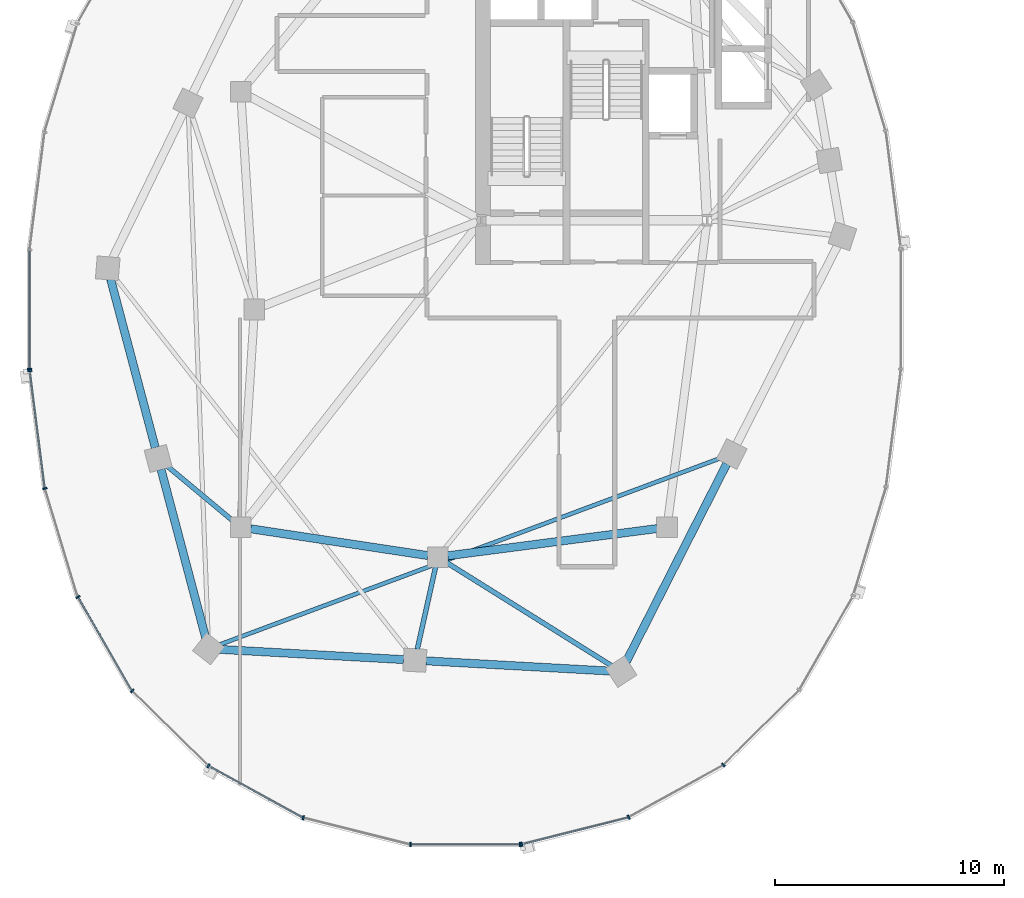
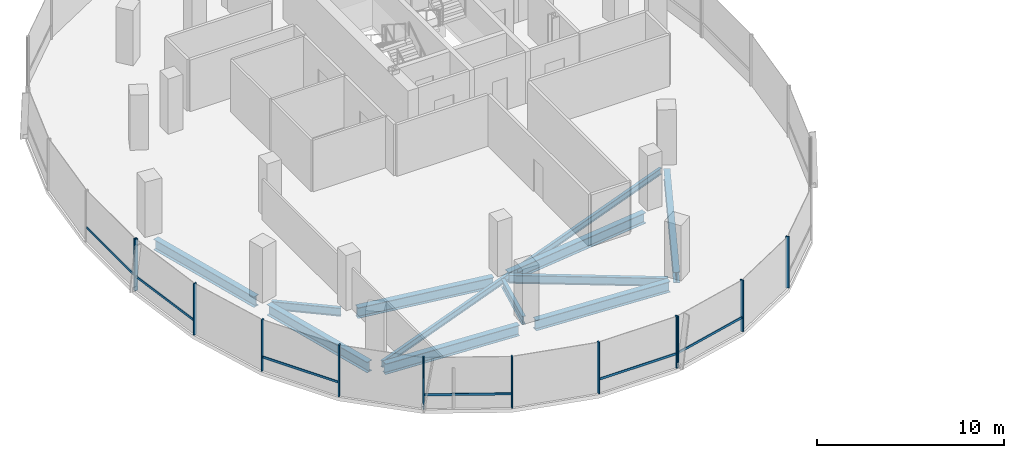
# One storey, part 2 of 21: 18 members, 11 beams, 3 elements without a shape of their own.
"""IFC4 building model written with IfcOpenShell, lengths in metres."""

from ifc_helpers import new_model, si_unit, direction, frame, origin, origin_2d, place, context, subcontext, project, spatial, rectangle, i_section, extrude, material, material_profile, profile_set, type_object, element, aggregate, save


model = new_model("IFC4")

# Units and contexts
model_context = context("Model", 3, precision=1e-05, world=origin(), true_north=direction((0.0, 1.0)))
body_context = subcontext(model_context, "Body", "Model", "MODEL_VIEW")
ifc_project = project(units=[si_unit("LENGTHUNIT", "METRE"), si_unit("AREAUNIT", "SQUARE_METRE"), si_unit("VOLUMEUNIT", "CUBIC_METRE"), si_unit("PLANEANGLEUNIT", "RADIAN"), si_unit("MASSUNIT", "GRAM", prefix="KILO"), si_unit("THERMODYNAMICTEMPERATUREUNIT", "KELVIN"), si_unit("POWERUNIT", "WATT")], contexts=[model_context])

# Site, building, storey
site_placement = place(None, origin())
site = spatial("IfcSite", under=ifc_project, at=site_placement, CompositionType="ELEMENT")
building_placement = place(site_placement, origin())
building = spatial("IfcBuilding", under=site, at=building_placement, Name="Cundina Bronze Exchange", CompositionType="ELEMENT")
storey_placement = place(building_placement, frame((0.0, 0.0, 180.0)))
storey = spatial("IfcBuildingStorey", under=building, at=storey_placement, Name="L47", CompositionType="ELEMENT", Elevation=180.0)

# Beams
ifc_material_1 = material(Name="Steel ASTM A992 Grade 50", Category="steel")
ifc_material_profile_1 = material_profile(ifc_material_1, i_section(OverallWidth=0.2119140625, OverallDepth=0.5439453125, WebThickness=0.01318359375, FlangeThickness=0.021240234375, FilletRadius=0.013916015625, at=origin_2d()), Name="W21X83", Category="steel")
ifc_profile_set_1 = profile_set([ifc_material_profile_1], Name="Steel ASTM A992 Grade 50")
beam_type_1 = type_object("IfcBeamType", Name="BM-FLR-W21A", PredefinedType="BEAM", material=ifc_profile_set_1)
beam_1_placement = place(storey_placement, frame((-42.136474609375, -9.219482421875, -0.511962890625), z_axis=(-0.768253211489, 0.640146079451, 0.0), x_axis=(-0.640146079451, -0.768253211489, 0.0)))
element("IfcBeam", 1, at=beam_1_placement, inside=storey, type_object=beam_type_1, Name="L47 Leg W Radial Floor Beam 09", PredefinedType="BEAM", context=body_context, shape_type="SweptSolid", body=[
    extrude(i_section(OverallWidth=0.2119140625, OverallDepth=0.5439453125, WebThickness=0.01318359375, FlangeThickness=0.021240234375, FilletRadius=0.013916015625, at=origin_2d()), origin(), (0.0, 0.0, 1.0), 3.760009765625),
])
beam_2_placement = place(storey_placement, frame((-33.294921875, -11.2275390625, -0.511962890625), z_axis=(-0.216923440287, -0.976188619609, 0.0), x_axis=(0.976188619609, -0.216923440287, 0.0)))
element("IfcBeam", 2, at=beam_2_placement, inside=storey, type_object=beam_type_1, Name="L47 Leg W Radial Floor Beam 11", PredefinedType="BEAM", context=body_context, shape_type="SweptSolid", body=[
    extrude(i_section(OverallWidth=0.2119140625, OverallDepth=0.5439453125, WebThickness=0.01318359375, FlangeThickness=0.021240234375, FilletRadius=0.013916015625, at=origin_2d()), origin(), (0.0, 0.0, 1.0), 3.68359375),
])
beam_3_placement = place(storey_placement, frame((-32.82861328125, -11.031982421875, -0.511962890625), z_axis=(0.847985407265, -0.530019574228, 0.0), x_axis=(0.530019574228, 0.847985407265, 0.0)))
element("IfcBeam", 3, at=beam_3_placement, inside=storey, type_object=beam_type_1, Name="L47 Leg W Radial Floor Beam 12", PredefinedType="BEAM", context=body_context, shape_type="SweptSolid", body=[
    extrude(i_section(OverallWidth=0.2119140625, OverallDepth=0.5439453125, WebThickness=0.01318359375, FlangeThickness=0.021240234375, FilletRadius=0.013916015625, at=origin_2d()), origin(), (0.0, 0.0, 1.0), 8.50830078125),
])
ifc_material_profile_2 = material_profile(ifc_material_1, i_section(OverallWidth=0.178955078125, OverallDepth=0.409912109375, WebThickness=0.0087890625, FlangeThickness=0.014404296875, FilletRadius=0.010986328125, at=origin_2d()), Name="W16X45", Category="steel")
ifc_profile_set_2 = profile_set([ifc_material_profile_2], Name="Steel ASTM A992 Grade 50")
beam_type_2 = type_object("IfcBeamType", Name="BM-JST-W16", PredefinedType="JOIST", material=ifc_profile_set_2)
beam_4_placement = place(storey_placement, frame((-42.74267578125, -14.629638671875, -0.445068359375), z_axis=(0.937127922351, 0.348986041483, 0.0), x_axis=(-0.348986041483, 0.937127922351, 0.0)))
element("IfcBeam", 4, at=beam_4_placement, inside=storey, type_object=beam_type_2, Name="L47 Leg W Lobe Floor Joist 10-13", PredefinedType="JOIST", context=body_context, shape_type="SweptSolid", body=[
    extrude(i_section(OverallWidth=0.178955078125, OverallDepth=0.409912109375, WebThickness=0.0087890625, FlangeThickness=0.014404296875, FilletRadius=0.010986328125, at=origin_2d()), origin(), (0.0, 0.0, 1.0), 23.38037109375),
])
ifc_material_profile_3 = material_profile(ifc_material_1, i_section(OverallWidth=0.35498046875, OverallDepth=0.695068359375, WebThickness=0.015380859375, FlangeThickness=0.02490234375, FilletRadius=0.01806640625, at=origin_2d()), Name="W27X146", Category="steel")
ifc_profile_set_3 = profile_set([ifc_material_profile_3], Name="Steel ASTM A992 Grade 50")
beam_type_3 = type_object("IfcBeamType", Name="BM-RING-W27", PredefinedType="USERDEFINED", material=ifc_profile_set_3)
beam_5_placement = place(storey_placement, frame((-41.366943359375, -9.5654296875, -0.58740234375), z_axis=(0.988764903598, -0.149478979839, 0.0), x_axis=(0.149478979839, 0.988764903598, 0.0)))
element("IfcBeam", 5, at=beam_5_placement, inside=storey, type_object=beam_type_3, Name="L47 W Inner Structural Ring Girder 05", ObjectType="GIRDER", PredefinedType="USERDEFINED", context=body_context, shape_type="SweptSolid", body=[
    extrude(i_section(OverallWidth=0.35498046875, OverallDepth=0.695068359375, WebThickness=0.015380859375, FlangeThickness=0.02490234375, FilletRadius=0.01806640625, at=origin_2d()), origin(), (0.0, 0.0, 1.0), 7.82177734375),
])
beam_6_placement = place(storey_placement, frame((-32.765625, -10.743408203125, -0.58740234375), z_axis=(0.991656498582, 0.128908451316, 0.0), x_axis=(-0.128908451316, 0.991656498582, 0.0)))
element("IfcBeam", 6, at=beam_6_placement, inside=storey, type_object=beam_type_3, Name="L47 W Inner Structural Ring Girder 06", ObjectType="GIRDER", PredefinedType="USERDEFINED", context=body_context, shape_type="SweptSolid", body=[
    extrude(i_section(OverallWidth=0.35498046875, OverallDepth=0.695068359375, WebThickness=0.015380859375, FlangeThickness=0.02490234375, FilletRadius=0.01806640625, at=origin_2d()), origin(), (0.0, 0.0, 1.0), 9.208251953125),
])
for number, where, z_axis, x_axis, name in (
    (7, (-47.47509765625, 1.328369140625, -0.58740234375), (0.256240814108, -0.966612975904, 0.0), (0.966612975904, 0.256240814108, 0.0), "L47 W Perimeter Ring Girder 08"),
    (8, (-45.27490234375, -6.9716796875, -0.58740234375), (0.256210841755, -0.96662092082, 0.0), (0.96662092082, 0.256210841755, 0.0), "L47 W Perimeter Ring Girder 09"),
):
    element("IfcBeam", number, at=place(storey_placement, frame(where, z_axis=z_axis, x_axis=x_axis)), inside=storey, type_object=beam_type_3, Name=name, ObjectType="GIRDER", PredefinedType="USERDEFINED", context=body_context, shape_type="SweptSolid", body=[
        extrude(i_section(OverallWidth=0.35498046875, OverallDepth=0.695068359375, WebThickness=0.015380859375, FlangeThickness=0.02490234375, FilletRadius=0.01806640625, at=origin_2d()), origin(), (0.0, 0.0, 1.0), 7.61083984375),
    ])
for number, where, z_axis, x_axis, name in (
    (9, (-42.712890625, -14.8271484375, -0.58740234375), (0.998460820451, -0.055461608559, 0.0), (0.055461608559, 0.998460820451, 0.0), "L47 W Perimeter Ring Girder 10"),
    (10, (-33.712890625, -15.3271484375, -0.58740234375), (0.998460820451, -0.055461608559, 0.0), (0.055461608559, 0.998460820451, 0.0), "L47 W Perimeter Ring Girder 11"),
):
    element("IfcBeam", number, at=place(storey_placement, frame(where, z_axis=z_axis, x_axis=x_axis)), inside=storey, type_object=beam_type_3, Name=name, ObjectType="GIRDER", PredefinedType="USERDEFINED", context=body_context, shape_type="SweptSolid", body=[
        extrude(i_section(OverallWidth=0.35498046875, OverallDepth=0.695068359375, WebThickness=0.015380859375, FlangeThickness=0.02490234375, FilletRadius=0.01806640625, at=origin_2d()), origin(), (0.0, 0.0, 1.0), 8.0380859375),
    ])
beam_7_placement = place(storey_placement, frame((-24.97900390625, -15.364990234375, -0.58740234375), z_axis=(0.452834585354, 0.891594548159, 0.0), x_axis=(-0.891594548159, 0.452834585354, 0.0)))
element("IfcBeam", 11, at=beam_7_placement, inside=storey, type_object=beam_type_3, Name="L47 W Perimeter Ring Girder 12", ObjectType="GIRDER", PredefinedType="USERDEFINED", context=body_context, shape_type="SweptSolid", body=[
    extrude(i_section(OverallWidth=0.35498046875, OverallDepth=0.695068359375, WebThickness=0.015380859375, FlangeThickness=0.02490234375, FilletRadius=0.01806640625, at=origin_2d()), origin(), (0.0, 0.0, 1.0), 9.67919921875),
])

# Curtain wall, member
ifc_material_2 = material(Name="Anodised Bronze Aluminium 6063-T6", Category="aluminium")
curtain_wall_type = type_object("IfcCurtainWallType", Name="CWS-WST-PIN", PredefinedType="NOTDEFINED", material=ifc_material_2)
curtain_wall_1_placement = place(storey_placement, origin())
curtain_wall_1 = element("IfcCurtainWall", 12, at=curtain_wall_1_placement, inside=storey, type_object=curtain_wall_type, Name="L47 CW-04 Curtain Wall Run CWR-L47-W2", PredefinedType="NOTDEFINED")
ifc_material_profile_4 = material_profile(ifc_material_2, rectangle(XDim=0.070068359375, YDim=0.18994140625, at=origin_2d()), Name="AL70X190", Category="aluminium")
ifc_profile_set_4 = profile_set([ifc_material_profile_4], Name="Anodised Bronze Aluminium 6063-T6")
member_type_1 = type_object("IfcMemberType", Name="CWM-MUL-190", PredefinedType="MULLION", material=ifc_profile_set_4)
member_1_placement = place(storey_placement, frame((-51.007080078125, -2.593017578125, 0.0), z_axis=(0.0, 0.0, 1.0), x_axis=(0.0, -1.0, 0.0)))
member_1 = element("IfcMember", 13, at=member_1_placement, type_object=member_type_1, Name="CW-04 End Mullion", PredefinedType="MULLION", context=body_context, shape_type="SweptSolid", body=[
    extrude(rectangle(XDim=0.070068359375, YDim=0.18994140625, at=origin_2d()), origin(), (0.0, 0.0, 1.0), 3.360107421875),
])

# Curtain wall, members
curtain_wall_2_placement = place(storey_placement, origin())
curtain_wall_2 = element("IfcCurtainWall", 14, at=curtain_wall_2_placement, inside=storey, type_object=curtain_wall_type, Name="L47 CW-04 Curtain Wall Run CWR-L47-W3", PredefinedType="NOTDEFINED")
member_2_placement = place(storey_placement, frame((-51.001708984375, -2.676025390625, 0.0), z_axis=(0.0, 0.0, 1.0), x_axis=(0.126545236492, -0.991960837494, 0.0)))
member_2 = element("IfcMember", 15, at=member_2_placement, type_object=member_type_1, Name="CW-04 Mullion 1", PredefinedType="MULLION", context=body_context, shape_type="SweptSolid", body=[
    extrude(rectangle(XDim=0.070068359375, YDim=0.18994140625, at=origin_2d()), origin(), (0.0, 0.0, 1.0), 3.360107421875),
])
member_3_placement = place(storey_placement, frame((-50.3408203125, -7.80859375, 0.0), z_axis=(0.0, 0.0, 1.0), x_axis=(0.290034140915, -0.957016299288, 0.0)))
member_3 = element("IfcMember", 16, at=member_3_placement, type_object=member_type_1, Name="CW-04 Mullion 2", PredefinedType="MULLION", context=body_context, shape_type="SweptSolid", body=[
    extrude(rectangle(XDim=0.070068359375, YDim=0.18994140625, at=origin_2d()), origin(), (0.0, 0.0, 1.0), 3.360107421875),
])
member_4_placement = place(storey_placement, frame((-48.89794921875, -12.541259765625, 0.0), z_axis=(0.0, 0.0, 1.0), x_axis=(0.498487739754, -0.866896748936, 0.0)))
member_4 = element("IfcMember", 17, at=member_4_placement, type_object=member_type_1, Name="CW-04 Mullion 3", PredefinedType="MULLION", context=body_context, shape_type="SweptSolid", body=[
    extrude(rectangle(XDim=0.070068359375, YDim=0.18994140625, at=origin_2d()), origin(), (0.0, 0.0, 1.0), 3.360107421875),
])
member_5_placement = place(storey_placement, frame((-46.530517578125, -16.640380859375, 0.0), z_axis=(0.0, 0.0, 1.0), x_axis=(0.712026045991, -0.702153052995, 0.0)))
member_5 = element("IfcMember", 18, at=member_5_placement, type_object=member_type_1, Name="CW-04 Mullion 4", PredefinedType="MULLION", context=body_context, shape_type="SweptSolid", body=[
    extrude(rectangle(XDim=0.070068359375, YDim=0.18994140625, at=origin_2d()), origin(), (0.0, 0.0, 1.0), 3.360107421875),
])
member_6_placement = place(storey_placement, frame((-43.20654296875, -19.906005859375, 0.0), z_axis=(0.0, 0.0, 1.0), x_axis=(0.875885937035, -0.482518212408, 0.0)))
member_6 = element("IfcMember", 19, at=member_6_placement, type_object=member_type_1, Name="CW-04 Mullion 5", PredefinedType="MULLION", context=body_context, shape_type="SweptSolid", body=[
    extrude(rectangle(XDim=0.070068359375, YDim=0.18994140625, at=origin_2d()), origin(), (0.0, 0.0, 1.0), 3.360107421875),
])
member_7_placement = place(storey_placement, frame((-39.067626953125, -22.17626953125, 0.0), z_axis=(0.0, 0.0, 1.0), x_axis=(0.970084240161, -0.242768546132, 0.0)))
member_7 = element("IfcMember", 20, at=member_7_placement, type_object=member_type_1, Name="CW-04 Mullion 6", PredefinedType="MULLION", context=body_context, shape_type="SweptSolid", body=[
    extrude(rectangle(XDim=0.070068359375, YDim=0.18994140625, at=origin_2d()), origin(), (0.0, 0.0, 1.0), 3.360107421875),
])
member_8_placement = place(storey_placement, frame((-34.39404296875, -23.3369140625, 0.0), z_axis=(0.0, 0.0, 1.0), x_axis=(1.0, 0.0, 0.0)))
member_8 = element("IfcMember", 21, at=member_8_placement, type_object=member_type_1, Name="CW-04 Mullion 7", PredefinedType="MULLION", context=body_context, shape_type="SweptSolid", body=[
    extrude(rectangle(XDim=0.070068359375, YDim=0.18994140625, at=origin_2d()), origin(), (0.0, 0.0, 1.0), 3.360107421875),
])
member_9_placement = place(storey_placement, frame((-29.60595703125, -23.3369140625, 0.0), z_axis=(0.0, 0.0, 1.0), x_axis=(1.0, 0.0, 0.0)))
member_9 = element("IfcMember", 22, at=member_9_placement, type_object=member_type_1, Name="CW-04 End Mullion", PredefinedType="MULLION", context=body_context, shape_type="SweptSolid", body=[
    extrude(rectangle(XDim=0.070068359375, YDim=0.18994140625, at=origin_2d()), origin(), (0.0, 0.0, 1.0), 3.360107421875),
])

curtain_wall_3_placement = place(storey_placement, origin())
curtain_wall_3 = element("IfcCurtainWall", 23, at=curtain_wall_3_placement, inside=storey, type_object=curtain_wall_type, Name="L47 CW-04 Curtain Wall Run CWR-L47-W4", PredefinedType="NOTDEFINED")
member_10_placement = place(storey_placement, frame((-29.537353515625, -23.32861328125, 0.0), z_axis=(0.0, 0.0, 1.0), x_axis=(0.970084240161, 0.242768546132, 0.0)))
member_10 = element("IfcMember", 24, at=member_10_placement, type_object=member_type_1, Name="CW-04 Mullion 1", PredefinedType="MULLION", context=body_context, shape_type="SweptSolid", body=[
    extrude(rectangle(XDim=0.070068359375, YDim=0.18994140625, at=origin_2d()), origin(), (0.0, 0.0, 1.0), 3.360107421875),
])
member_11_placement = place(storey_placement, frame((-24.86962890625, -22.151611328125, 0.0), z_axis=(0.0, 0.0, 1.0), x_axis=(0.875885937035, 0.482518212408, 0.0)))
member_11 = element("IfcMember", 25, at=member_11_placement, type_object=member_type_1, Name="CW-04 Mullion 2", PredefinedType="MULLION", context=body_context, shape_type="SweptSolid", body=[
    extrude(rectangle(XDim=0.070068359375, YDim=0.18994140625, at=origin_2d()), origin(), (0.0, 0.0, 1.0), 3.360107421875),
])
member_12_placement = place(storey_placement, frame((-20.740966796875, -19.86669921875, 0.0), z_axis=(0.0, 0.0, 1.0), x_axis=(0.712026045991, 0.702153052995, 0.0)))
member_12 = element("IfcMember", 26, at=member_12_placement, type_object=member_type_1, Name="CW-04 Mullion 3", PredefinedType="MULLION", context=body_context, shape_type="SweptSolid", body=[
    extrude(rectangle(XDim=0.070068359375, YDim=0.18994140625, at=origin_2d()), origin(), (0.0, 0.0, 1.0), 3.360107421875),
])

# Member
ifc_material_profile_5 = material_profile(ifc_material_2, rectangle(XDim=0.06494140625, YDim=0.14990234375, at=origin_2d()), Name="AL65X150", Category="aluminium")
ifc_profile_set_5 = profile_set([ifc_material_profile_5], Name="Anodised Bronze Aluminium 6063-T6")
member_type_2 = type_object("IfcMemberType", Name="CWM-TRN-150", PredefinedType="USERDEFINED", material=ifc_profile_set_5)
member_13_placement = place(storey_placement, frame((-51.007080078125, 2.554443359375, 0.919921875), z_axis=(0.0, -1.0, 0.0), x_axis=(1.0, 0.0, 0.0)))
member_13 = element("IfcMember", 27, at=member_13_placement, type_object=member_type_2, Name="CW-04 Spandrel Transom 7", ObjectType="TRANSOM", PredefinedType="USERDEFINED", context=body_context, shape_type="SweptSolid", body=[
    extrude(rectangle(XDim=0.06494140625, YDim=0.14990234375, at=origin_2d()), origin(), (0.0, 0.0, 1.0), 5.10888671875),
])

aggregate(curtain_wall_1, [member_1, member_13])

member_14_placement = place(storey_placement, frame((-50.996826171875, -2.71435546875, 0.919921875), z_axis=(0.12646340362, -0.991971273548, 0.0), x_axis=(0.991971273548, 0.12646340362, 0.0)))
member_14 = element("IfcMember", 28, at=member_14_placement, type_object=member_type_2, Name="CW-04 Spandrel Transom 1", ObjectType="TRANSOM", PredefinedType="USERDEFINED", context=body_context, shape_type="SweptSolid", body=[
    extrude(rectangle(XDim=0.06494140625, YDim=0.14990234375, at=origin_2d()), origin(), (0.0, 0.0, 1.0), 5.0966796875),
])

member_15_placement = place(storey_placement, frame((-48.878662109375, -12.574462890625, 0.919921875), z_axis=(0.498479967047, -0.866901218394, 0.0), x_axis=(0.866901218394, 0.498479967047, 0.0)))
member_15 = element("IfcMember", 29, at=member_15_placement, type_object=member_type_2, Name="CW-04 Spandrel Transom 3", ObjectType="TRANSOM", PredefinedType="USERDEFINED", context=body_context, shape_type="SweptSolid", body=[
    extrude(rectangle(XDim=0.06494140625, YDim=0.14990234375, at=origin_2d()), origin(), (0.0, 0.0, 1.0), 4.66845703125),
])

member_16_placement = place(storey_placement, frame((-43.1728515625, -19.924560546875, 0.919921875), z_axis=(0.875878981549, -0.482530838062, 0.0), x_axis=(0.482530838062, 0.875878981549, 0.0)))
member_16 = element("IfcMember", 30, at=member_16_placement, type_object=member_type_2, Name="CW-04 Spandrel Transom 5", ObjectType="TRANSOM", PredefinedType="USERDEFINED", context=body_context, shape_type="SweptSolid", body=[
    extrude(rectangle(XDim=0.06494140625, YDim=0.14990234375, at=origin_2d()), origin(), (0.0, 0.0, 1.0), 4.65380859375),
])

member_17_placement = place(storey_placement, frame((-34.35546875, -23.3369140625, 0.919921875), z_axis=(1.0, 0.0, 0.0), x_axis=(0.0, 1.0, 0.0)))
member_17 = element("IfcMember", 31, at=member_17_placement, type_object=member_type_2, Name="CW-04 Spandrel Transom 7", ObjectType="TRANSOM", PredefinedType="USERDEFINED", context=body_context, shape_type="SweptSolid", body=[
    extrude(rectangle(XDim=0.06494140625, YDim=0.14990234375, at=origin_2d()), origin(), (0.0, 0.0, 1.0), 4.7109375),
])

aggregate(curtain_wall_2, [member_2, member_14, member_3, member_4, member_15, member_5, member_6, member_16, member_7, member_8, member_9, member_17])

member_18_placement = place(storey_placement, frame((-29.5, -23.319091796875, 0.919921875), z_axis=(0.970100130035, 0.242705042606, 0.0), x_axis=(-0.242705042606, 0.970100130035, 0.0)))
member_18 = element("IfcMember", 32, at=member_18_placement, type_object=member_type_2, Name="CW-04 Spandrel Transom 1", ObjectType="TRANSOM", PredefinedType="USERDEFINED", context=body_context, shape_type="SweptSolid", body=[
    extrude(rectangle(XDim=0.06494140625, YDim=0.14990234375, at=origin_2d()), origin(), (0.0, 0.0, 1.0), 4.746826171875),
])

aggregate(curtain_wall_3, [member_10, member_18, member_11, member_12])

save(model, "model.ifc")
